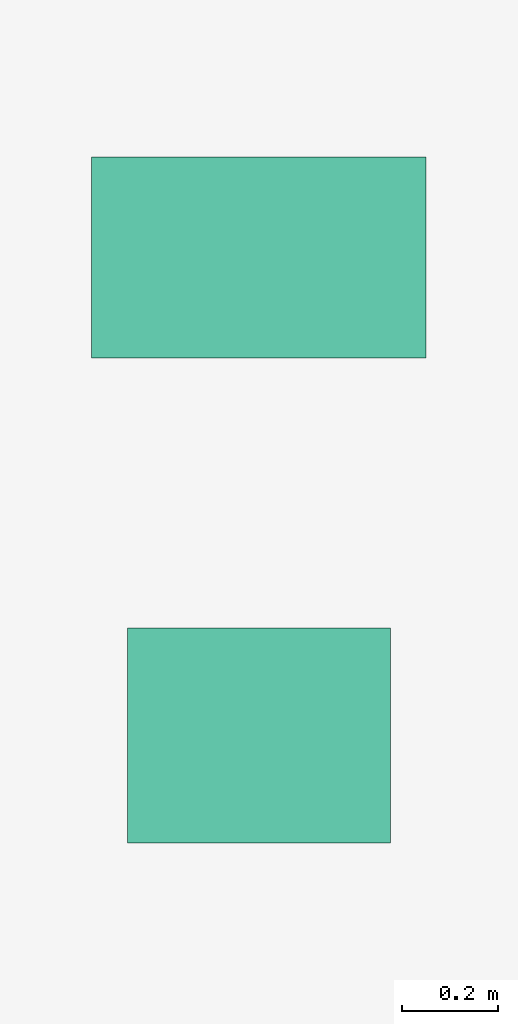
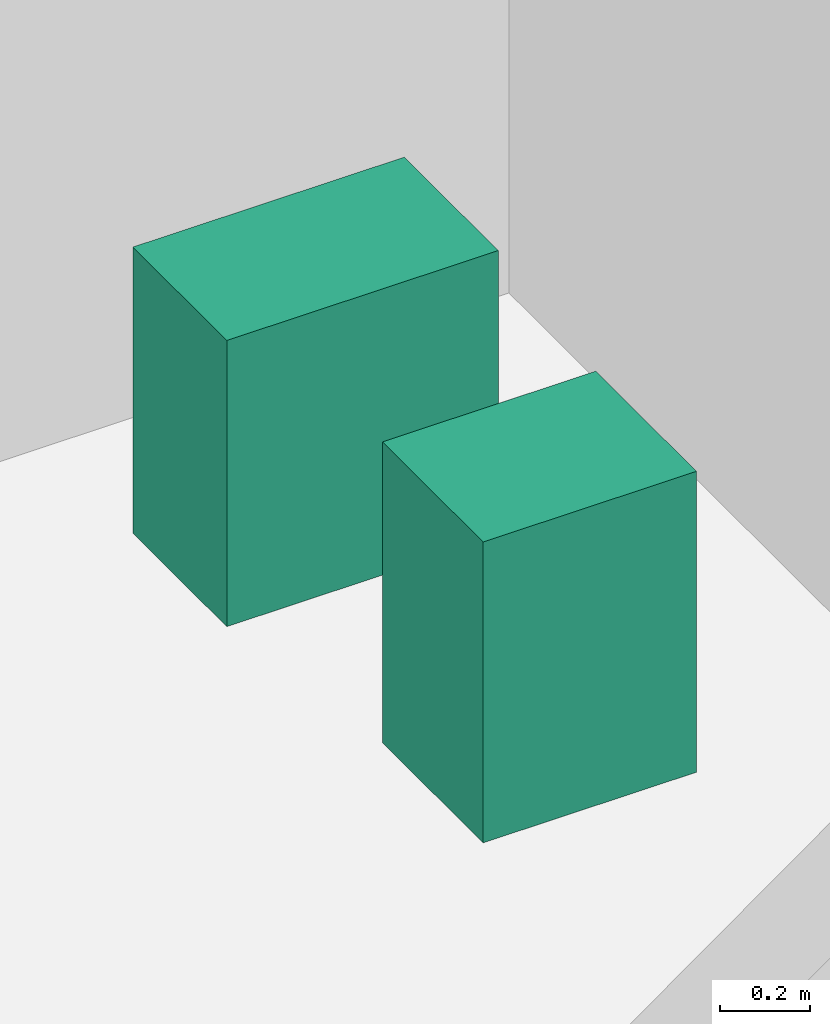
# One storey, part 37 of 37: 2 sanitary terminals.
"""IFC4 building model written with IfcOpenShell, lengths in metres."""

from ifc_helpers import new_model, si_unit, direction, frame, origin, origin_2d, place, context, subcontext, project, spatial, rectangle, extrude, source, transform, mapped, material, type_object, element, save


model = new_model("IFC4")

# Units and contexts
model_context = context("Model", 3, precision=1e-05, world=origin(), true_north=direction((0.0, 1.0)))
body_context = subcontext(model_context, "Body", "Model", "MODEL_VIEW")
ifc_project = project(units=[si_unit("LENGTHUNIT", "METRE"), si_unit("AREAUNIT", "SQUARE_METRE"), si_unit("VOLUMEUNIT", "CUBIC_METRE"), si_unit("PLANEANGLEUNIT", "RADIAN"), si_unit("MASSUNIT", "GRAM", prefix="KILO")], contexts=[model_context])

# Site, building, storey
site_placement = place(None, origin())
site = spatial("IfcSite", under=ifc_project, at=site_placement, CompositionType="ELEMENT")
building_placement = place(site_placement, origin())
building = spatial("IfcBuilding", under=site, at=building_placement, Name="Sumidabori Civic Tower", CompositionType="ELEMENT")
storey_placement = place(building_placement, frame((0.0, 0.0, 95.60009765625)))
storey = spatial("IfcBuildingStorey", under=building, at=storey_placement, Name="L24", CompositionType="ELEMENT", Elevation=95.60009765625)

# Sanitary terminals
ifc_material = material(Name="Vitreous Sanitary Porcelain")
sanitary_terminal_type_1 = type_object("IfcSanitaryTerminalType", Name="SN-WC-1", PredefinedType="TOILETPAN", material=ifc_material)
shared_shape_1 = source(origin(), body_context, "Body", "SweptSolid", [
    extrude(rectangle(XDim=0.699951171875, YDim=0.419921875, at=origin_2d()), origin(), (0.0, 0.0, 1.0), 0.780029296875),
])
sanitary_terminal_1_placement = place(storey_placement, frame((10.800048828125, 21.85009765625, 0.0), z_axis=(0.0, 0.0, 1.0), x_axis=(1.0, 0.0, 0.0)))
element("IfcSanitaryTerminal", 1, at=sanitary_terminal_1_placement, inside=storey, type_object=sanitary_terminal_type_1, Name="Accessible WC Pan L24", PredefinedType="TOILETPAN", context=body_context, shape_type="MappedRepresentation", body=[
    mapped(shared_shape_1, transform((0.0, 0.0, 0.0), x_axis=(1.0, 0.0, 0.0), y_axis=(0.0, 1.0, 0.0), z_axis=(0.0, 0.0, 1.0), scale=1.0)),
])
sanitary_terminal_type_2 = type_object("IfcSanitaryTerminalType", Name="SN-BAS-1", PredefinedType="WASHHANDBASIN", material=ifc_material)
shared_shape_2 = source(origin(), body_context, "Body", "SweptSolid", [
    extrude(rectangle(XDim=0.550048828125, YDim=0.449951171875, at=origin_2d()), origin(), (0.0, 0.0, 1.0), 0.820068359375),
])
sanitary_terminal_2_placement = place(storey_placement, frame((10.800048828125, 20.85009765625, 0.0), z_axis=(0.0, 0.0, 1.0), x_axis=(1.0, 0.0, 0.0)))
element("IfcSanitaryTerminal", 2, at=sanitary_terminal_2_placement, inside=storey, type_object=sanitary_terminal_type_2, Name="Accessible Basin L24", PredefinedType="WASHHANDBASIN", context=body_context, shape_type="MappedRepresentation", body=[
    mapped(shared_shape_2, transform((0.0, 0.0, 0.0), x_axis=(1.0, 0.0, 0.0), y_axis=(0.0, 1.0, 0.0), z_axis=(0.0, 0.0, 1.0), scale=1.0)),
])

save(model, "model.ifc")
